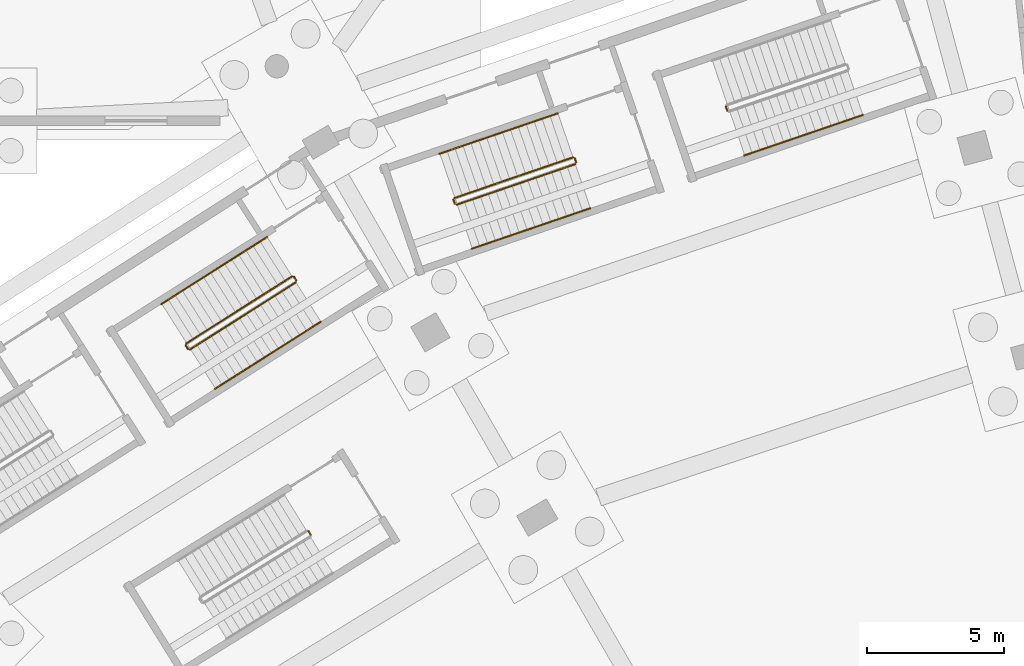
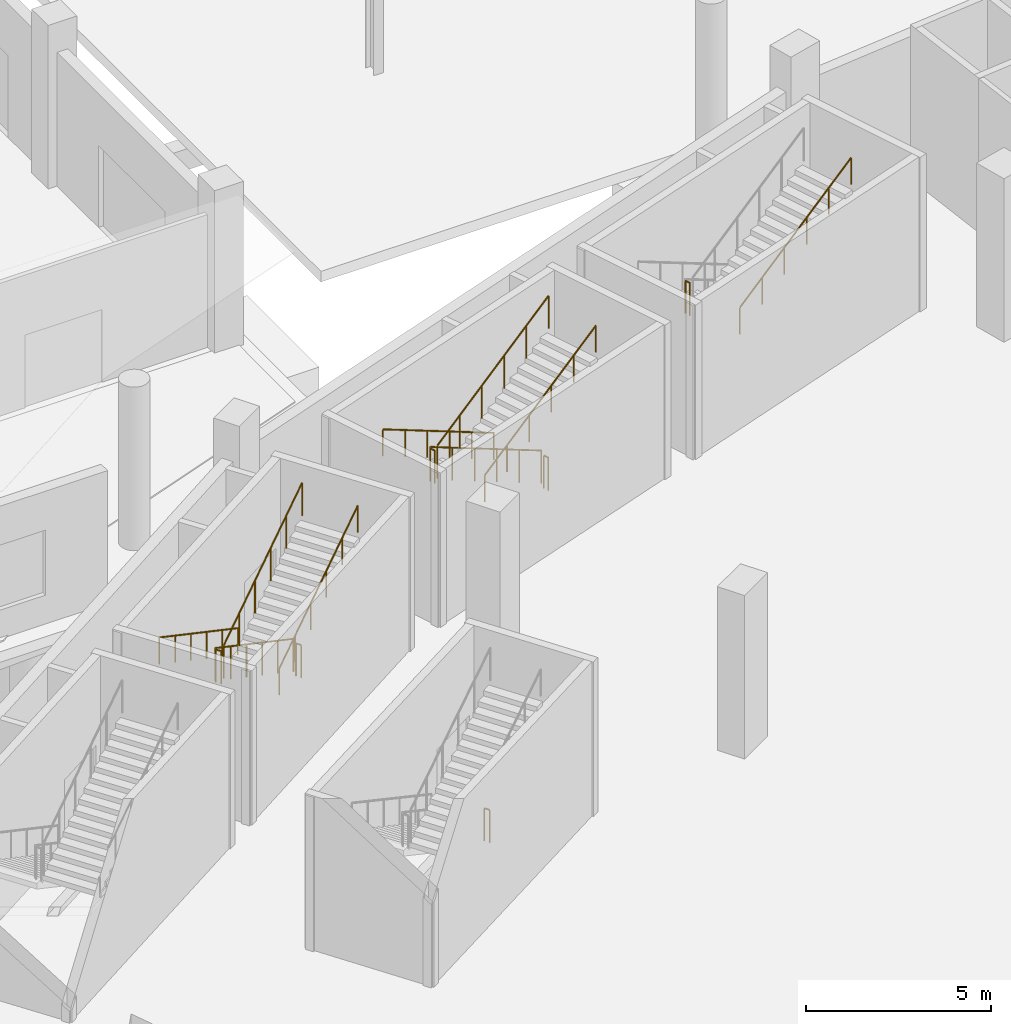
# One storey, part 90 of 103: 15 railings.
"""IFC4 building model written with IfcOpenShell, lengths in metres."""

from ifc_helpers import new_model, si_unit, direction, frame, origin, origin_2d, place, context, subcontext, project, spatial, circle, extrude, material, type_object, element, save


model = new_model("IFC4")

# Units and contexts
model_context = context("Model", 3, precision=1e-05, world=origin(), true_north=direction((0.0, 1.0)))
body_context = subcontext(model_context, "Body", "Model", "MODEL_VIEW")
ifc_project = project(units=[si_unit("LENGTHUNIT", "METRE"), si_unit("AREAUNIT", "SQUARE_METRE"), si_unit("VOLUMEUNIT", "CUBIC_METRE"), si_unit("PLANEANGLEUNIT", "RADIAN"), si_unit("MASSUNIT", "GRAM", prefix="KILO")], contexts=[model_context])

# Site, building, storey
site_placement = place(None, origin())
site = spatial("IfcSite", under=ifc_project, at=site_placement, CompositionType="ELEMENT")
building_placement = place(site_placement, origin())
building = spatial("IfcBuilding", under=site, at=building_placement, Name="Zevraka Park Crest Stadium", CompositionType="ELEMENT")
storey_placement = place(building_placement, origin())
storey = spatial("IfcBuildingStorey", under=building, at=storey_placement, Name="L00", CompositionType="ELEMENT", Elevation=0.0)

# Railings
ifc_material_1 = material(Name="Powder-coated tubular steel stairwell guard", Category="steel")
railing_type_1 = type_object("IfcRailingType", Name="GR03", PredefinedType="GUARDRAIL", material=ifc_material_1)
railing_1_placement = place(storey_placement, frame((81.62451171875, 158.517822265625, 2.699951171875)))
element("IfcRailing", 1, at=railing_1_placement, inside=storey, type_object=railing_type_1, Name="L00 ST08 stair guard 2", PredefinedType="GUARDRAIL", context=body_context, shape_type="SweptSolid", body=[
    extrude(circle(Radius=0.02392578125, at=origin_2d()), frame((0.0, 0.0, 1.076171875), z_axis=(0.32354385955, -0.946213174156, 0.0), x_axis=(0.946213174156, 0.32354385955, 0.0)), (0.0, 0.0, 1.0), 0.159912109375),
    extrude(circle(Radius=0.02099609375, at=origin_2d()), origin(), (0.0, 0.0, 1.0), 1.052001953125),
    extrude(circle(Radius=0.02099609375, at=origin_2d()), frame((0.0517578125, -0.1513671875, 0.0)), (0.0, 0.0, 1.0), 1.052001953125),
])
railing_2_placement = place(storey_placement, frame((65.805419921875, 152.324951171875, 0.168701171875)))
element("IfcRailing", 2, at=railing_2_placement, inside=storey, type_object=railing_type_1, Name="L00 ST09 stair guard 1", PredefinedType="GUARDRAIL", context=body_context, shape_type="SweptSolid", body=[
    extrude(circle(Radius=0.02392578125, at=origin_2d()), frame((0.0, 0.0, 1.076171875), z_axis=(-0.738840749407, -0.46876207314, 0.484124432146), x_axis=(0.535728596419, -0.844390236193, 0.0)), (0.0, 0.0, 1.0), 5.228515625),
    extrude(circle(Radius=0.02099609375, at=origin_2d()), origin(), (0.0, 0.0, 1.0), 1.052001953125),
    extrude(circle(Radius=0.02099609375, at=origin_2d()), frame((-0.772705078125, -0.490234375, 0.50634765625)), (0.0, 0.0, 1.0), 1.052001953125),
    extrude(circle(Radius=0.02099609375, at=origin_2d()), frame((-1.545166015625, -0.98046875, 1.012451171875)), (0.0, 0.0, 1.0), 1.052001953125),
    extrude(circle(Radius=0.02099609375, at=origin_2d()), frame((-2.31787109375, -1.470458984375, 1.518798828125)), (0.0, 0.0, 1.0), 1.052001953125),
    extrude(circle(Radius=0.02099609375, at=origin_2d()), frame((-3.09033203125, -1.960693359375, 2.02490234375)), (0.0, 0.0, 1.0), 1.052001953125),
    extrude(circle(Radius=0.02099609375, at=origin_2d()), frame((-3.863037109375, -2.450927734375, 2.53125)), (0.0, 0.0, 1.0), 1.052001953125),
])
railing_3_placement = place(storey_placement, frame((61.927001953125, 149.80517578125, 2.699951171875)))
element("IfcRailing", 3, at=railing_3_placement, inside=storey, type_object=railing_type_1, Name="L00 ST09 stair guard 2", PredefinedType="GUARDRAIL", context=body_context, shape_type="SweptSolid", body=[
    extrude(circle(Radius=0.02392578125, at=origin_2d()), frame((0.0, 0.0, 1.076171875), z_axis=(0.535197175111, -0.844727165275, 0.0), x_axis=(0.844727165275, 0.535197175111, 0.0)), (0.0, 0.0, 1.0), 0.16015625),
    extrude(circle(Radius=0.02099609375, at=origin_2d()), origin(), (0.0, 0.0, 1.0), 1.052001953125),
    extrude(circle(Radius=0.02099609375, at=origin_2d()), frame((0.085693359375, -0.13525390625, 0.0)), (0.0, 0.0, 1.0), 1.052001953125),
])
railing_4_placement = place(storey_placement, frame((62.081787109375, 149.654541015625, 2.86865234375)))
element("IfcRailing", 4, at=railing_4_placement, inside=storey, type_object=railing_type_1, Name="L00 ST09 stair guard 3", PredefinedType="GUARDRAIL", context=body_context, shape_type="SweptSolid", body=[
    extrude(circle(Radius=0.02392578125, at=origin_2d()), frame((0.0, 0.0, 1.076171875), z_axis=(0.738840749407, 0.46876207314, 0.484124432146), x_axis=(-0.535728596419, 0.844390236193, 0.0)), (0.0, 0.0, 1.0), 5.228515625),
    extrude(circle(Radius=0.02099609375, at=origin_2d()), origin(), (0.0, 0.0, 1.0), 1.052001953125),
    extrude(circle(Radius=0.02099609375, at=origin_2d()), frame((0.772705078125, 0.490234375, 0.50634765625)), (0.0, 0.0, 1.0), 1.052001953125),
    extrude(circle(Radius=0.02099609375, at=origin_2d()), frame((1.545166015625, 0.98046875, 1.012451171875)), (0.0, 0.0, 1.0), 1.052001953125),
    extrude(circle(Radius=0.02099609375, at=origin_2d()), frame((2.31787109375, 1.470458984375, 1.518798828125)), (0.0, 0.0, 1.0), 1.052001953125),
    extrude(circle(Radius=0.02099609375, at=origin_2d()), frame((3.09033203125, 1.960693359375, 2.02490234375)), (0.0, 0.0, 1.0), 1.052001953125),
    extrude(circle(Radius=0.02099609375, at=origin_2d()), frame((3.863037109375, 2.450927734375, 2.53125)), (0.0, 0.0, 1.0), 1.052001953125),
])
railing_5_placement = place(storey_placement, frame((65.87451171875, 152.3095703125, 0.0)))
element("IfcRailing", 5, at=railing_5_placement, inside=storey, type_object=railing_type_1, Name="L00 ST09 stair guard 4", PredefinedType="GUARDRAIL", context=body_context, shape_type="SweptSolid", body=[
    extrude(circle(Radius=0.02392578125, at=origin_2d()), frame((0.0, 0.0, 1.076171875), z_axis=(0.535887230789, -0.844289568736, 0.0), x_axis=(0.844289568736, 0.535887230789, 0.0)), (0.0, 0.0, 1.0), 0.159912109375),
    extrude(circle(Radius=0.02099609375, at=origin_2d()), origin(), (0.0, 0.0, 1.0), 1.052001953125),
    extrude(circle(Radius=0.02099609375, at=origin_2d()), frame((0.085693359375, -0.135009765625, 0.0)), (0.0, 0.0, 1.0), 1.052001953125),
])
railing_6_placement = place(storey_placement, frame((76.0498046875, 156.662353515625, 0.168701171875)))
element("IfcRailing", 6, at=railing_6_placement, inside=storey, type_object=railing_type_1, Name="L00 ST27 stair guard 1", PredefinedType="GUARDRAIL", context=body_context, shape_type="SweptSolid", body=[
    extrude(circle(Radius=0.02392578125, at=origin_2d()), frame((0.0, 0.0, 1.076171875), z_axis=(-0.827816573081, -0.283471962049, 0.484110904716), x_axis=(0.323965495677, -0.946068896863, 0.0)), (0.0, 0.0, 1.0), 5.228759765625),
    extrude(circle(Radius=0.02099609375, at=origin_2d()), origin(), (0.0, 0.0, 1.0), 1.052001953125),
    extrude(circle(Radius=0.02099609375, at=origin_2d()), frame((-0.86572265625, -0.29638671875, 0.50634765625)), (0.0, 0.0, 1.0), 1.052001953125),
    extrude(circle(Radius=0.02099609375, at=origin_2d()), frame((-1.7314453125, -0.5927734375, 1.012451171875)), (0.0, 0.0, 1.0), 1.052001953125),
    extrude(circle(Radius=0.02099609375, at=origin_2d()), frame((-2.596923828125, -0.889404296875, 1.518798828125)), (0.0, 0.0, 1.0), 1.052001953125),
    extrude(circle(Radius=0.02099609375, at=origin_2d()), frame((-3.462646484375, -1.185791015625, 2.02490234375)), (0.0, 0.0, 1.0), 1.052001953125),
    extrude(circle(Radius=0.02099609375, at=origin_2d()), frame((-4.328369140625, -1.482177734375, 2.53125)), (0.0, 0.0, 1.0), 1.052001953125),
])
railing_7_placement = place(storey_placement, frame((71.6904296875, 155.11669921875, 2.699951171875)))
element("IfcRailing", 7, at=railing_7_placement, inside=storey, type_object=railing_type_1, Name="L00 ST27 stair guard 2", PredefinedType="GUARDRAIL", context=body_context, shape_type="SweptSolid", body=[
    extrude(circle(Radius=0.02392578125, at=origin_2d()), frame((0.0, 0.0, 1.076171875), z_axis=(0.32354385955, -0.946213174156, 0.0), x_axis=(0.946213174156, 0.32354385955, 0.0)), (0.0, 0.0, 1.0), 0.159912109375),
    extrude(circle(Radius=0.02099609375, at=origin_2d()), origin(), (0.0, 0.0, 1.0), 1.052001953125),
    extrude(circle(Radius=0.02099609375, at=origin_2d()), frame((0.0517578125, -0.1513671875, 0.0)), (0.0, 0.0, 1.0), 1.052001953125),
])
railing_8_placement = place(storey_placement, frame((71.8056640625, 154.934326171875, 2.86865234375)))
element("IfcRailing", 8, at=railing_8_placement, inside=storey, type_object=railing_type_1, Name="L00 ST27 stair guard 3", PredefinedType="GUARDRAIL", context=body_context, shape_type="SweptSolid", body=[
    extrude(circle(Radius=0.02392578125, at=origin_2d()), frame((0.0, 0.0, 1.076171875), z_axis=(0.827816573081, 0.283471962049, 0.484110904716), x_axis=(-0.323965495677, 0.946068896863, 0.0)), (0.0, 0.0, 1.0), 5.228759765625),
    extrude(circle(Radius=0.02099609375, at=origin_2d()), origin(), (0.0, 0.0, 1.0), 1.052001953125),
    extrude(circle(Radius=0.02099609375, at=origin_2d()), frame((0.86572265625, 0.29638671875, 0.50634765625)), (0.0, 0.0, 1.0), 1.052001953125),
    extrude(circle(Radius=0.02099609375, at=origin_2d()), frame((1.7314453125, 0.5927734375, 1.012451171875)), (0.0, 0.0, 1.0), 1.052001953125),
    extrude(circle(Radius=0.02099609375, at=origin_2d()), frame((2.596923828125, 0.889404296875, 1.518798828125)), (0.0, 0.0, 1.0), 1.052001953125),
    extrude(circle(Radius=0.02099609375, at=origin_2d()), frame((3.462646484375, 1.185791015625, 2.02490234375)), (0.0, 0.0, 1.0), 1.052001953125),
    extrude(circle(Radius=0.02099609375, at=origin_2d()), frame((4.328369140625, 1.482177734375, 2.53125)), (0.0, 0.0, 1.0), 1.052001953125),
])
railing_9_placement = place(storey_placement, frame((76.11328125, 156.63134765625, 0.0)))
element("IfcRailing", 9, at=railing_9_placement, inside=storey, type_object=railing_type_1, Name="L00 ST27 stair guard 4", PredefinedType="GUARDRAIL", context=body_context, shape_type="SweptSolid", body=[
    extrude(circle(Radius=0.02392578125, at=origin_2d()), frame((0.0, 0.0, 1.076171875), z_axis=(0.32354385955, -0.946213174156, 0.0), x_axis=(0.946213174156, 0.32354385955, 0.0)), (0.0, 0.0, 1.0), 0.159912109375),
    extrude(circle(Radius=0.02099609375, at=origin_2d()), origin(), (0.0, 0.0, 1.0), 1.052001953125),
    extrude(circle(Radius=0.02099609375, at=origin_2d()), frame((0.0517578125, -0.1513671875, 0.0)), (0.0, 0.0, 1.0), 1.052001953125),
])
railing_10_placement = place(storey_placement, frame((66.40283203125, 143.031494140625, 0.0)))
element("IfcRailing", 10, at=railing_10_placement, inside=storey, type_object=railing_type_1, Name="L00 ST37 stair guard 4", PredefinedType="GUARDRAIL", context=body_context, shape_type="SweptSolid", body=[
    extrude(circle(Radius=0.02392578125, at=origin_2d()), frame((0.0, 0.0, 1.076171875), z_axis=(0.526564774069, -0.850135012048, 0.0), x_axis=(0.850135012048, 0.526564774069, 0.0)), (0.0, 0.0, 1.0), 0.159912109375),
    extrude(circle(Radius=0.02099609375, at=origin_2d()), origin(), (0.0, 0.0, 1.0), 1.052001953125),
    extrude(circle(Radius=0.02099609375, at=origin_2d()), frame((0.084228515625, -0.135986328125, 0.0)), (0.0, 0.0, 1.0), 1.052001953125),
])
ifc_material_2 = material(Name="Brushed stainless steel continuous handrail", Category="steel")
railing_type_2 = type_object("IfcRailingType", Name="HR01", PredefinedType="HANDRAIL", material=ifc_material_2)
railing_11_placement = place(storey_placement, frame((82.29052734375, 156.72705078125, 2.86865234375)))
element("IfcRailing", 11, at=railing_11_placement, inside=storey, type_object=railing_type_2, Name="L00 ST08 stair handrail 2", PredefinedType="HANDRAIL", context=body_context, shape_type="SweptSolid", body=[
    extrude(circle(Radius=0.02392578125, at=origin_2d()), frame((0.0, 0.0, 0.8759765625), z_axis=(0.827816573081, 0.283471962049, 0.484110904716), x_axis=(-0.323965495677, 0.946068896863, 0.0)), (0.0, 0.0, 1.0), 5.228759765625),
    extrude(circle(Radius=0.02099609375, at=origin_2d()), origin(), (0.0, 0.0, 1.0), 0.851806640625),
    extrude(circle(Radius=0.02099609375, at=origin_2d()), frame((0.86572265625, 0.29638671875, 0.50634765625)), (0.0, 0.0, 1.0), 0.851806640625),
    extrude(circle(Radius=0.02099609375, at=origin_2d()), frame((1.7314453125, 0.5927734375, 1.012451171875)), (0.0, 0.0, 1.0), 0.851806640625),
    extrude(circle(Radius=0.02099609375, at=origin_2d()), frame((2.596923828125, 0.889404296875, 1.518798828125)), (0.0, 0.0, 1.0), 0.851806640625),
    extrude(circle(Radius=0.02099609375, at=origin_2d()), frame((3.462646484375, 1.185791015625, 2.02490234375)), (0.0, 0.0, 1.0), 0.851806640625),
    extrude(circle(Radius=0.02099609375, at=origin_2d()), frame((4.328369140625, 1.482177734375, 2.53125)), (0.0, 0.0, 1.0), 0.851806640625),
])
railing_12_placement = place(storey_placement, frame((64.894775390625, 153.760498046875, 0.168701171875)))
element("IfcRailing", 12, at=railing_12_placement, inside=storey, type_object=railing_type_2, Name="L00 ST09 stair handrail 1", PredefinedType="HANDRAIL", context=body_context, shape_type="SweptSolid", body=[
    extrude(circle(Radius=0.02392578125, at=origin_2d()), frame((0.0, 0.0, 0.8759765625), z_axis=(-0.738840749407, -0.46876207314, 0.484124432146), x_axis=(0.535728596419, -0.844390236193, 0.0)), (0.0, 0.0, 1.0), 5.228515625),
    extrude(circle(Radius=0.02099609375, at=origin_2d()), origin(), (0.0, 0.0, 1.0), 0.851806640625),
    extrude(circle(Radius=0.02099609375, at=origin_2d()), frame((-0.772705078125, -0.490234375, 0.50634765625)), (0.0, 0.0, 1.0), 0.851806640625),
    extrude(circle(Radius=0.02099609375, at=origin_2d()), frame((-1.545166015625, -0.98046875, 1.012451171875)), (0.0, 0.0, 1.0), 0.851806640625),
    extrude(circle(Radius=0.02099609375, at=origin_2d()), frame((-2.31787109375, -1.470458984375, 1.518798828125)), (0.0, 0.0, 1.0), 0.851806640625),
    extrude(circle(Radius=0.02099609375, at=origin_2d()), frame((-3.09033203125, -1.960693359375, 2.02490234375)), (0.0, 0.0, 1.0), 0.851806640625),
    extrude(circle(Radius=0.02099609375, at=origin_2d()), frame((-3.863037109375, -2.450927734375, 2.53125)), (0.0, 0.0, 1.0), 0.851806640625),
])
railing_13_placement = place(storey_placement, frame((62.992431640625, 148.218994140625, 2.86865234375)))
element("IfcRailing", 13, at=railing_13_placement, inside=storey, type_object=railing_type_2, Name="L00 ST09 stair handrail 2", PredefinedType="HANDRAIL", context=body_context, shape_type="SweptSolid", body=[
    extrude(circle(Radius=0.02392578125, at=origin_2d()), frame((0.0, 0.0, 0.8759765625), z_axis=(0.738840749407, 0.46876207314, 0.484124432146), x_axis=(-0.535728596419, 0.844390236193, 0.0)), (0.0, 0.0, 1.0), 5.228515625),
    extrude(circle(Radius=0.02099609375, at=origin_2d()), origin(), (0.0, 0.0, 1.0), 0.851806640625),
    extrude(circle(Radius=0.02099609375, at=origin_2d()), frame((0.772705078125, 0.490234375, 0.50634765625)), (0.0, 0.0, 1.0), 0.851806640625),
    extrude(circle(Radius=0.02099609375, at=origin_2d()), frame((1.545166015625, 0.98046875, 1.012451171875)), (0.0, 0.0, 1.0), 0.851806640625),
    extrude(circle(Radius=0.02099609375, at=origin_2d()), frame((2.31787109375, 1.470458984375, 1.518798828125)), (0.0, 0.0, 1.0), 0.851806640625),
    extrude(circle(Radius=0.02099609375, at=origin_2d()), frame((3.09033203125, 1.960693359375, 2.02490234375)), (0.0, 0.0, 1.0), 0.851806640625),
    extrude(circle(Radius=0.02099609375, at=origin_2d()), frame((3.863037109375, 2.450927734375, 2.53125)), (0.0, 0.0, 1.0), 0.851806640625),
])
railing_14_placement = place(storey_placement, frame((75.4990234375, 158.270751953125, 0.168701171875)))
element("IfcRailing", 14, at=railing_14_placement, inside=storey, type_object=railing_type_2, Name="L00 ST27 stair handrail 1", PredefinedType="HANDRAIL", context=body_context, shape_type="SweptSolid", body=[
    extrude(circle(Radius=0.02392578125, at=origin_2d()), frame((0.0, 0.0, 0.8759765625), z_axis=(-0.827801877085, -0.283482919437, 0.484129617645), x_axis=(0.323981851812, -0.946063295819, 0.0)), (0.0, 0.0, 1.0), 5.228515625),
    extrude(circle(Radius=0.02099609375, at=origin_2d()), origin(), (0.0, 0.0, 1.0), 0.851806640625),
    extrude(circle(Radius=0.02099609375, at=origin_2d()), frame((-0.86572265625, -0.29638671875, 0.50634765625)), (0.0, 0.0, 1.0), 0.851806640625),
    extrude(circle(Radius=0.02099609375, at=origin_2d()), frame((-1.731201171875, -0.5927734375, 1.012451171875)), (0.0, 0.0, 1.0), 0.851806640625),
    extrude(circle(Radius=0.02099609375, at=origin_2d()), frame((-2.596923828125, -0.889404296875, 1.518798828125)), (0.0, 0.0, 1.0), 0.851806640625),
    extrude(circle(Radius=0.02099609375, at=origin_2d()), frame((-3.46240234375, -1.185791015625, 2.02490234375)), (0.0, 0.0, 1.0), 0.851806640625),
    extrude(circle(Radius=0.02099609375, at=origin_2d()), frame((-4.328125, -1.482177734375, 2.53125)), (0.0, 0.0, 1.0), 0.851806640625),
])
railing_15_placement = place(storey_placement, frame((72.3564453125, 153.325927734375, 2.86865234375)))
element("IfcRailing", 15, at=railing_15_placement, inside=storey, type_object=railing_type_2, Name="L00 ST27 stair handrail 2", PredefinedType="HANDRAIL", context=body_context, shape_type="SweptSolid", body=[
    extrude(circle(Radius=0.02392578125, at=origin_2d()), frame((0.0, 0.0, 0.8759765625), z_axis=(0.827816573081, 0.283471962049, 0.484110904716), x_axis=(-0.323965495677, 0.946068896863, 0.0)), (0.0, 0.0, 1.0), 5.228759765625),
    extrude(circle(Radius=0.02099609375, at=origin_2d()), origin(), (0.0, 0.0, 1.0), 0.851806640625),
    extrude(circle(Radius=0.02099609375, at=origin_2d()), frame((0.86572265625, 0.29638671875, 0.50634765625)), (0.0, 0.0, 1.0), 0.851806640625),
    extrude(circle(Radius=0.02099609375, at=origin_2d()), frame((1.7314453125, 0.5927734375, 1.012451171875)), (0.0, 0.0, 1.0), 0.851806640625),
    extrude(circle(Radius=0.02099609375, at=origin_2d()), frame((2.596923828125, 0.889404296875, 1.518798828125)), (0.0, 0.0, 1.0), 0.851806640625),
    extrude(circle(Radius=0.02099609375, at=origin_2d()), frame((3.462646484375, 1.185791015625, 2.02490234375)), (0.0, 0.0, 1.0), 0.851806640625),
    extrude(circle(Radius=0.02099609375, at=origin_2d()), frame((4.328369140625, 1.482177734375, 2.53125)), (0.0, 0.0, 1.0), 0.851806640625),
])

save(model, "model.ifc")
